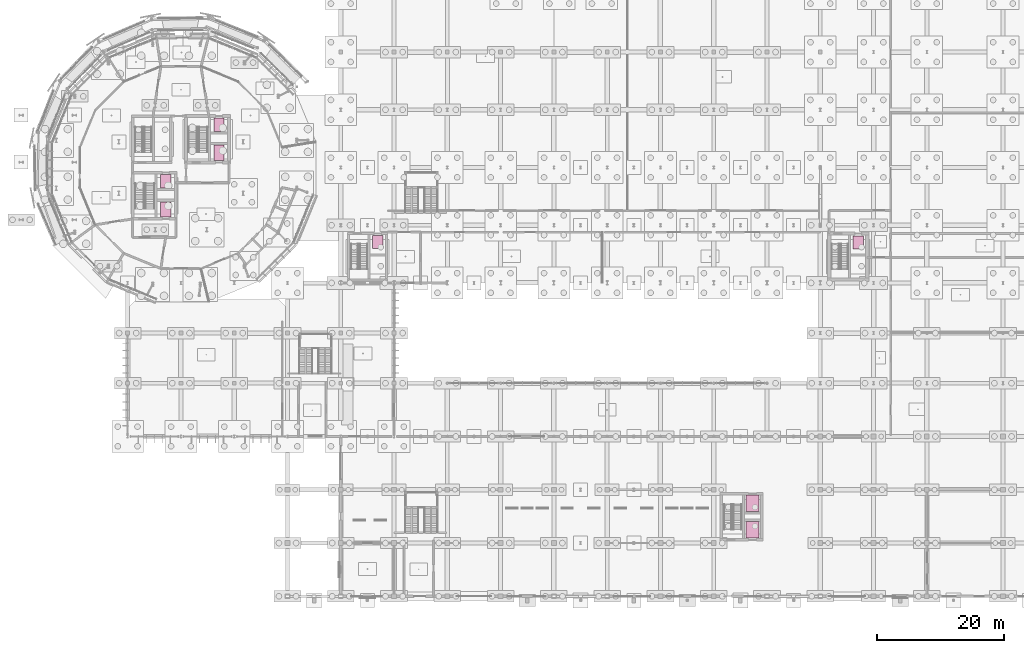
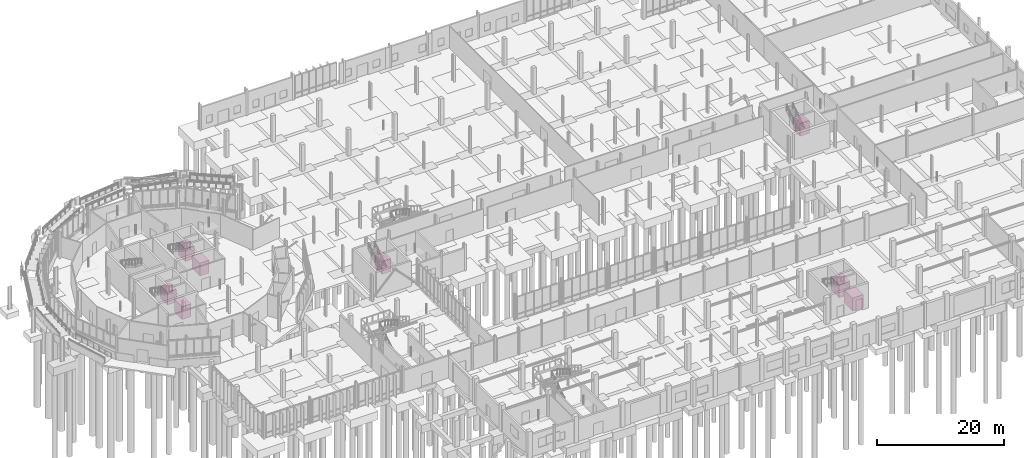
# One storey, part 119 of 119: 8 transport elements.
"""IFC4 building model written with IfcOpenShell, lengths in metres."""

from ifc_helpers import new_model, si_unit, derived_unit, direction, frame, origin, origin_2d, place, context, subcontext, project, spatial, rectangle, extrude, material, type_object, element, save


model = new_model("IFC4")

# Units and contexts
model_context = context("Model", 3, precision=1e-05, world=origin(), true_north=direction((0.0, 1.0)))
body_context = subcontext(model_context, "Body", "Model", "MODEL_VIEW")
ifc_project = project(units=[si_unit("LENGTHUNIT", "METRE"), si_unit("AREAUNIT", "SQUARE_METRE"), si_unit("VOLUMEUNIT", "CUBIC_METRE"), si_unit("PLANEANGLEUNIT", "RADIAN"), si_unit("MASSUNIT", "GRAM", prefix="KILO"), derived_unit("THERMALTRANSMITTANCEUNIT", [(si_unit("MASSUNIT", "GRAM", prefix="KILO"), 1), (si_unit("TIMEUNIT", "SECOND"), -3), (si_unit("THERMODYNAMICTEMPERATUREUNIT", "KELVIN"), -1)])], contexts=[model_context])

# Site, building, storey
site_placement = place(None, origin())
site = spatial("IfcSite", under=ifc_project, at=site_placement, CompositionType="ELEMENT")
building_placement = place(site_placement, origin())
building = spatial("IfcBuilding", under=site, at=building_placement, Name="Makaiwela Harbour Ferry Terminal", CompositionType="ELEMENT")
storey_placement = place(building_placement, origin())
storey = spatial("IfcBuildingStorey", under=building, at=storey_placement, Name="L00", CompositionType="ELEMENT", Elevation=0.0)

# Transport elements
ifc_material = material(Name="Marine grade 316L brushed stainless steel", Category="steel")
transport_element_type_1 = type_object("IfcTransportElementType", Name="VT-LFT-FF", PredefinedType="ELEVATOR", material=ifc_material)
for number, where, z_axis, x_axis, name in (
    (1, (43.803466796875, 69.9150390625, 0.0), (0.0, 0.0, 1.0), (1.0, 0.0, 0.0), "Elevator LF-01"),
    (2, (35.416015625, 60.989990234375, 0.0), (0.0, 0.0, 1.0), (1.0, 0.0, 0.0), "Elevator LF-02"),
):
    element("IfcTransportElement", number, at=place(storey_placement, frame(where, z_axis=z_axis, x_axis=x_axis)), inside=storey, type_object=transport_element_type_1, Name=name, PredefinedType="ELEVATOR", context=body_context, shape_type="SweptSolid", body=[
        extrude(rectangle(XDim=1.64990234375, YDim=2.39990234375, at=origin_2d()), origin(), (0.0, 0.0, 1.0), 2.449951171875),
    ])
transport_element_type_2 = type_object("IfcTransportElementType", Name="VT-LFT-GDS", PredefinedType="ELEVATOR", material=ifc_material)
for number, where, z_axis, x_axis, name in (
    (3, (127.907958984375, 10.465087890625, 0.0), (0.0, 0.0, 1.0), (1.0, 0.0, 0.0), "Elevator LF-07"),
    (4, (127.907958984375, 14.635009765625, 0.0), (0.0, 0.0, 1.0), (1.0, 0.0, 0.0), "Elevator LF-08"),
):
    element("IfcTransportElement", number, at=place(storey_placement, frame(where, z_axis=z_axis, x_axis=x_axis)), inside=storey, type_object=transport_element_type_2, Name=name, PredefinedType="ELEVATOR", context=body_context, shape_type="SweptSolid", body=[
        extrude(rectangle(XDim=2.0, YDim=2.60009765625, at=origin_2d()), origin(), (0.0, 0.0, 1.0), 2.5),
    ])
transport_element_type_3 = type_object("IfcTransportElementType", Name="VT-LFT-PAX", PredefinedType="ELEVATOR", material=ifc_material)
for number, where, z_axis, x_axis, name in (
    (5, (43.803466796875, 74.3349609375, 0.0), (0.0, 0.0, 1.0), (1.0, 0.0, 0.0), "Elevator LF-03"),
    (6, (35.416015625, 65.4599609375, 0.0), (0.0, 0.0, 1.0), (1.0, 0.0, 0.0), "Elevator LF-04"),
    (7, (68.820068359375, 55.8701171875, 0.0), (0.0, 0.0, 1.0), (1.0, 0.0, 0.0), "Elevator LF-05"),
    (8, (144.574951171875, 55.780029296875, 0.0), (0.0, 0.0, 1.0), (1.0, 0.0, 0.0), "Elevator LF-06"),
):
    element("IfcTransportElement", number, at=place(storey_placement, frame(where, z_axis=z_axis, x_axis=x_axis)), inside=storey, type_object=transport_element_type_3, Name=name, PredefinedType="ELEVATOR", context=body_context, shape_type="SweptSolid", body=[
        extrude(rectangle(XDim=1.64990234375, YDim=2.10009765625, at=origin_2d()), origin(), (0.0, 0.0, 1.0), 2.449951171875),
    ])

save(model, "model.ifc")
